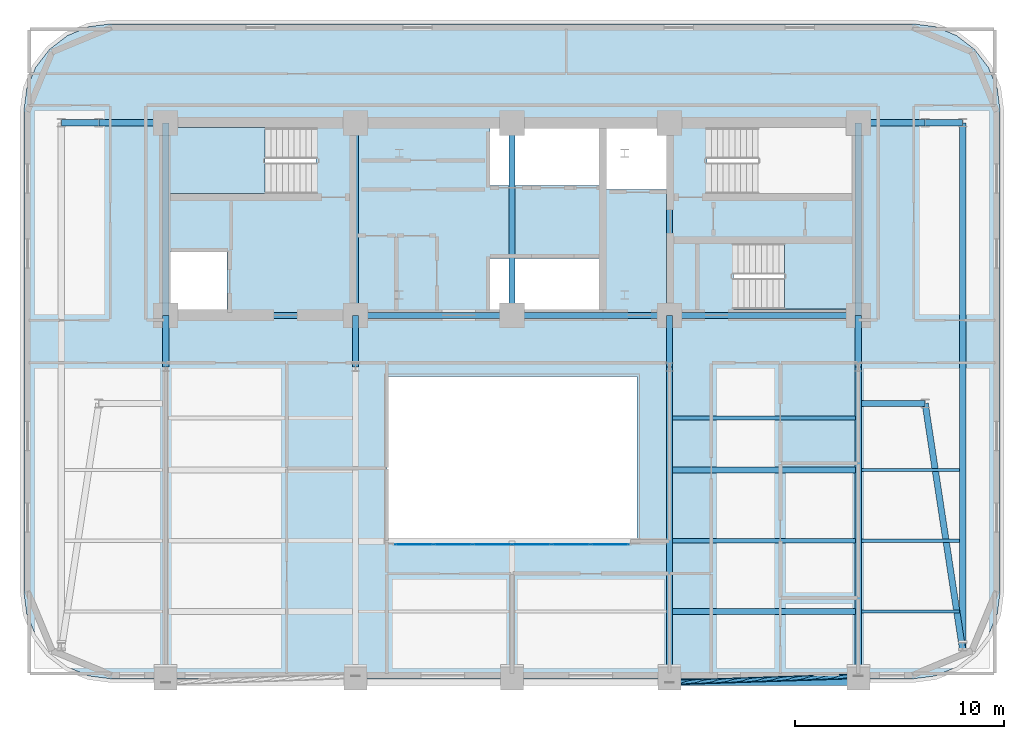
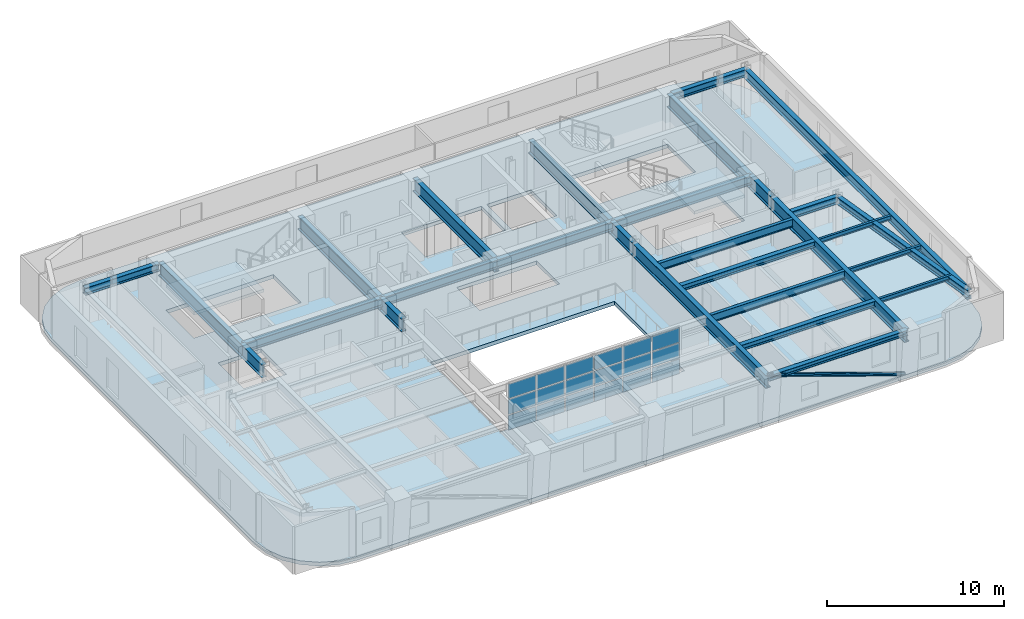
# One storey, part 3 of 12: 30 beams, 18 plates, 3 slabs, 1 member, 3 elements without a shape of their own.
"""IFC4 building model written with IfcOpenShell, lengths in metres."""

import ifcopenshell
import ifcopenshell.guid

model = None  # the IFC model being written
_history = None  # IfcOwnerHistory: only IFC2X3 demands one
_inside = {}  # id of a spatial element -> (the spatial element, [elements in it])
_under = {}  # id of a project, library or spatial element -> (it, [spatial elements below it])
_declared = {}  # id of a project -> (the project, [libraries it declares])
_typed = {}  # id of a type object -> (the type object, [elements of that type])
_made_of = {}  # id of a material, layer set ... -> (it, [elements and type objects made of it])


def new_model(schema):
    """Start an empty IFC model of exactly this schema.

    Asked for "IFC4X3", IfcOpenShell would pick the latest addendum, in which some entities
    have other attributes; the version numbers below select the first issue.
    IFC2X3 requires an IfcOwnerHistory on every rooted entity: one is made here for all.
    """
    global model, _history
    if schema == "IFC4X3":
        model = ifcopenshell.file(schema_version=(4, 3, 0, 0))
    else:
        model = ifcopenshell.file(schema=schema)
    _inside.clear()
    _under.clear()
    _declared.clear()
    _typed.clear()
    _made_of.clear()
    _history = None
    if model.schema == "IFC2X3":
        org = make("IfcOrganization", Name="unknown")
        user = make(
            "IfcPersonAndOrganization",
            ThePerson=make("IfcPerson", FamilyName="unknown"),
            TheOrganization=org,
        )
        app = make(
            "IfcApplication",
            ApplicationDeveloper=org,
            Version="unknown",
            ApplicationFullName="unknown",
            ApplicationIdentifier="unknown",
        )
        _history = make(
            "IfcOwnerHistory",
            OwningUser=user,
            OwningApplication=app,
            ChangeAction="ADDED",
            CreationDate=0,
        )
    return model


def make(cls, **values):
    """One entity of the class cls with the attributes given. An attribute that is None is left unset."""
    return model.create_entity(
        cls, **{name: value for name, value in values.items() if value is not None}
    )


def rooted(cls, **values):
    """An entity with a GlobalId (a new one), such as an element, a storey or a relation."""
    return make(cls, GlobalId=ifcopenshell.guid.new(), OwnerHistory=_history, **values)


def si_unit(unit_type, name, prefix=None):
    """IfcSIUnit, for example si_unit("LENGTHUNIT", "METRE", prefix="MILLI")."""
    return make("IfcSIUnit", UnitType=unit_type, Prefix=prefix, Name=name)


def assignment(units):
    """IfcUnitAssignment: the units of a project."""
    return None if units is None else make("IfcUnitAssignment", Units=units)


def point(xyz):
    """IfcCartesianPoint."""
    return None if xyz is None else make("IfcCartesianPoint", Coordinates=xyz)


def direction(xyz):
    """IfcDirection."""
    return None if xyz is None else make("IfcDirection", DirectionRatios=xyz)


def frame(location, z_axis=None, x_axis=None):
    """IfcAxis2Placement3D, a coordinate frame: its origin and axes. An axis left out is left unset."""
    return make(
        "IfcAxis2Placement3D",
        Location=point(location),
        Axis=direction(z_axis),
        RefDirection=direction(x_axis),
    )


def frame_2d(location, x_axis=None):
    """IfcAxis2Placement2D, a coordinate frame in the plane: its origin and x axis."""
    return make(
        "IfcAxis2Placement2D", Location=point(location), RefDirection=direction(x_axis)
    )


def origin():
    """The frame at (0, 0, 0) with its axes left unset."""
    return frame((0.0, 0.0, 0.0))


def origin_2d():
    """The frame at (0, 0) in the plane with its x axis left unset."""
    return frame_2d((0.0, 0.0))


def place(relative_to, where):
    """IfcLocalPlacement: puts the frame where relative to a parent placement (None: the world)."""
    return make(
        "IfcLocalPlacement", PlacementRelTo=relative_to, RelativePlacement=where
    )


def context(
    kind, dimensions, precision=None, world=None, true_north=None, identifier=None
):
    """IfcGeometricRepresentationContext, for example the 3D "Model" context."""
    return make(
        "IfcGeometricRepresentationContext",
        ContextIdentifier=identifier,
        ContextType=kind,
        CoordinateSpaceDimension=dimensions,
        Precision=precision,
        WorldCoordinateSystem=world,
        TrueNorth=true_north,
    )


def subcontext(parent, identifier, kind, view, scale=None):
    """IfcGeometricRepresentationSubContext, for example "Body" below "Model"."""
    return make(
        "IfcGeometricRepresentationSubContext",
        ContextIdentifier=identifier,
        ContextType=kind,
        ParentContext=parent,
        TargetScale=scale,
        TargetView=view,
    )


def project(units=None, contexts=None):
    """IfcProject with its units and contexts."""
    return rooted(
        "IfcProject",
        Name="project",
        RepresentationContexts=contexts,
        UnitsInContext=assignment(units),
    )


def spatial(cls, under=None, at=None, **own):
    """A site, building, storey or space (cls), placed at a placement, below another one or the project."""
    s = rooted(cls, ObjectPlacement=at, **own)
    if under is not None:
        _under.setdefault(under.id(), (under, []))[1].append(s)
    return s


def polyline(points):
    """IfcPolyline through the points."""
    return make("IfcPolyline", Points=[point(p) for p in points])


def profile(cls, at=None, kind="AREA", **sizes):
    """A parametric profile (cls). Its sizes go by their IFC names, for example OverallWidth=200.0."""
    return make(cls, ProfileType=kind, Position=at, **sizes)


def rectangle(**sizes):
    """IfcRectangleProfileDef."""
    return profile("IfcRectangleProfileDef", **sizes)


def hollow_circle(**sizes):
    """IfcCircleHollowProfileDef."""
    return profile("IfcCircleHollowProfileDef", **sizes)


def i_section(**sizes):
    """IfcIShapeProfileDef."""
    return profile("IfcIShapeProfileDef", **sizes)


def outline(outer, holes=None, kind="AREA"):
    """IfcArbitraryClosedProfileDef: a profile drawn as a closed curve; with holes, ...WithVoids."""
    if holes is None:
        return make("IfcArbitraryClosedProfileDef", ProfileType=kind, OuterCurve=outer)
    return make(
        "IfcArbitraryProfileDefWithVoids",
        ProfileType=kind,
        OuterCurve=outer,
        InnerCurves=holes,
    )


def extrude(swept, where, along, depth):
    """IfcExtrudedAreaSolid: the profile swept, set in the frame where, extruded along a direction by depth."""
    return make(
        "IfcExtrudedAreaSolid",
        SweptArea=swept,
        Position=where,
        ExtrudedDirection=direction(along),
        Depth=depth,
    )


def shape(context_of_items, identifier, shape_type, items):
    """IfcShapeRepresentation: the items that make up one representation, for example the "Body"."""
    return make(
        "IfcShapeRepresentation",
        ContextOfItems=context_of_items,
        RepresentationIdentifier=identifier,
        RepresentationType=shape_type,
        Items=items,
    )


def material(Name=None, Category=None):
    """IfcMaterial."""
    return make("IfcMaterial", Name=Name, Category=Category)


def layer(
    of_material, thickness, ventilated=None, Name=None, Category=None, Priority=None
):
    """IfcMaterialLayer: one layer of a wall or slab, of a material (None: an air gap)."""
    return make(
        "IfcMaterialLayer",
        Material=of_material,
        LayerThickness=thickness,
        IsVentilated=ventilated,
        Name=Name,
        Category=Category,
        Priority=Priority,
    )


def layer_set(layers, Name=None):
    """IfcMaterialLayerSet."""
    return make("IfcMaterialLayerSet", MaterialLayers=layers, LayerSetName=Name)


def material_profile(
    of_material, cross_section, Name=None, Category=None, Priority=None
):
    """IfcMaterialProfile: a cross section and its material."""
    return make(
        "IfcMaterialProfile",
        Name=Name,
        Material=of_material,
        Profile=cross_section,
        Priority=Priority,
        Category=Category,
    )


def profile_set(profiles, Name=None, composite=None):
    """IfcMaterialProfileSet."""
    return make(
        "IfcMaterialProfileSet",
        Name=Name,
        MaterialProfiles=profiles,
        CompositeProfile=composite,
    )


def made_of(thing, what):
    """Note that an element or type object is made of a material, layer set ...; save() writes the relation."""
    if what is not None:
        _made_of.setdefault(what.id(), (what, []))[1].append(thing)
    return thing


def type_object(cls, material=None, **own):
    """A type object (cls), such as IfcWallType, which elements share."""
    return made_of(rooted(cls, **own), material)


def element(
    cls,
    number,
    at=None,
    inside=None,
    cuts=None,
    type_object=None,
    material=None,
    context=None,
    identifier="Body",
    shape_type=None,
    held_by="IfcProductDefinitionShape",
    body=None,
    shapes=None,
    **own,
):
    """One element of the class cls, such as IfcWall. Its Tag is "e" and its number.

    at: its placement. inside: the storey or other place that contains it. cuts: it is an
    opening in that element (IfcRelVoidsElement). A single representation is given by context,
    identifier, shape_type and body (its items); several are given by shapes. held_by: the class
    of the entity that holds the representations. save() writes the other relations.
    """
    e = rooted(cls, Tag="e%d" % number, ObjectPlacement=at, **own)
    if body is not None:
        shapes = [shape(context, identifier, shape_type, body)]
    if shapes is not None:
        e.Representation = make(held_by, Representations=shapes)
    if inside is not None:
        _inside.setdefault(inside.id(), (inside, []))[1].append(e)
    if cuts is not None:
        rooted(
            "IfcRelVoidsElement", RelatingBuildingElement=cuts, RelatedOpeningElement=e
        )
    if type_object is not None:
        _typed.setdefault(type_object.id(), (type_object, []))[1].append(e)
    return made_of(e, material)


def aggregate(whole, parts):
    """IfcRelAggregates: a whole, such as a stair, and the parts it consists of."""
    return rooted("IfcRelAggregates", RelatingObject=whole, RelatedObjects=parts)


def save(model, path):
    """Write the relations noted so far, then the file.

    IfcRelAggregates (storeys below a building ...), IfcRelContainedInSpatialStructure (elements
    in a storey), IfcRelDefinesByType, IfcRelAssociatesMaterial and IfcRelDeclares: one each for
    every whole, place, type object, material and project.
    """
    for whole, parts in _under.values():
        aggregate(whole, parts)
    for where, things in _inside.values():
        rooted(
            "IfcRelContainedInSpatialStructure",
            RelatedElements=things,
            RelatingStructure=where,
        )
    for kind, things in _typed.values():
        rooted("IfcRelDefinesByType", RelatedObjects=things, RelatingType=kind)
    for what, things in _made_of.values():
        rooted("IfcRelAssociatesMaterial", RelatedObjects=things, RelatingMaterial=what)
    for by, libraries in _declared.values():
        rooted("IfcRelDeclares", RelatingContext=by, RelatedDefinitions=libraries)
    model.write(path)


model = new_model("IFC4")

# Units and contexts
model_context = context("Model", 3, precision=1e-05, world=origin(), true_north=direction((0.0, 1.0)))
body_context = subcontext(model_context, "Body", "Model", "MODEL_VIEW")
ifc_project = project(units=[si_unit("LENGTHUNIT", "METRE"), si_unit("AREAUNIT", "SQUARE_METRE"), si_unit("VOLUMEUNIT", "CUBIC_METRE"), si_unit("PLANEANGLEUNIT", "RADIAN"), si_unit("MASSUNIT", "GRAM", prefix="KILO")], contexts=[model_context])

# Site, building, storey
site_placement = place(None, origin())
site = spatial("IfcSite", under=ifc_project, at=site_placement, CompositionType="ELEMENT")
building_placement = place(site_placement, origin())
building = spatial("IfcBuilding", under=site, at=building_placement, Name="Zarnavel Station Tower", CompositionType="ELEMENT")
storey_placement = place(building_placement, frame((0.0, 0.0, 173.199951171875)))
storey = spatial("IfcBuildingStorey", under=building, at=storey_placement, Name="L47", CompositionType="ELEMENT", Elevation=173.199951171875)

# Member
ifc_material_1 = material(Name="Steel S355J2", Category="steel")
ifc_material_profile_1 = material_profile(ifc_material_1, hollow_circle(Radius=0.122314453125, WallThickness=0.010009765625, at=origin_2d()), Name="CHS244.5x10")
ifc_profile_set_1 = profile_set([ifc_material_profile_1], Name="Steel S355J2")
member_type = type_object("IfcMemberType", Name="DB_EXT_CHS245", PredefinedType="BRACE", material=ifc_profile_set_1)
member_placement = place(storey_placement, frame((45.39990234375, 10.53271484375, 0.0), z_axis=(-0.939370056938, -0.030942344867, 0.341506174795), x_axis=(0.032921607344, -0.999457936969, 0.0)))
element("IfcMember", 1, at=member_placement, inside=storey, type_object=member_type, Name="L47 Persian Exterior Diagonal Frame Brace 2", PredefinedType="BRACE", context=body_context, shape_type="SweptSolid", body=[
    extrude(hollow_circle(Radius=0.122314453125, WallThickness=0.010009765625, at=origin_2d()), origin(), (0.0, 0.0, 1.0), 9.6337890625),
])

# Beams
ifc_material_2 = material(Name="Steel S355J2", Category="steel")
ifc_material_profile_2 = material_profile(ifc_material_2, i_section(OverallWidth=0.300048828125, OverallDepth=0.360107421875, WebThickness=0.012451171875, FlangeThickness=0.0224609375, FilletRadius=0.027099609375, at=origin_2d()), Name="HEB360")
ifc_profile_set_2 = profile_set([ifc_material_profile_2], Name="Steel S355J2")
beam_type_1 = type_object("IfcBeamType", Name="EB_HEB360", PredefinedType="SPANDREL", material=ifc_profile_set_2)
beam_1_placement = place(storey_placement, frame((36.35009765625, 10.234619140625, 3.110107421875), z_axis=(1.0, 0.0, 0.0), x_axis=(0.0, 1.0, 0.0)))
element("IfcBeam", 2, at=beam_1_placement, inside=storey, type_object=beam_type_1, Name="L47 South Raked Spandrel 4", PredefinedType="SPANDREL", context=body_context, shape_type="SweptSolid", body=[
    extrude(i_section(OverallWidth=0.300048828125, OverallDepth=0.360107421875, WebThickness=0.012451171875, FlangeThickness=0.0224609375, FilletRadius=0.027099609375, at=origin_2d()), origin(), (0.0, 0.0, 1.0), 9.0498046875),
])
ifc_material_3 = material(Name="Steel S355J2", Category="steel")
ifc_material_profile_3 = material_profile(ifc_material_3, i_section(OverallWidth=0.300048828125, OverallDepth=0.389892578125, WebThickness=0.010986328125, FlangeThickness=0.01904296875, FilletRadius=0.027099609375, at=origin_2d()), Name="HEA400")
ifc_profile_set_3 = profile_set([ifc_material_profile_3], Name="Steel S355J2")
beam_type_2 = type_object("IfcBeamType", Name="FB_HEA400", PredefinedType="BEAM", material=ifc_profile_set_3)
for number, where, z_axis, x_axis, name in (
    (3, (36.4951171875, 13.627685546875, 3.094970703125), (1.0, 0.0, 0.0), (0.0, 1.0, 0.0), "L47 East Bay Beam 1"),
    (4, (36.4951171875, 20.413818359375, 3.094970703125), (1.0, 0.0, 0.0), (0.0, 1.0, 0.0), "L47 East Bay Beam 3"),
):
    element("IfcBeam", number, at=place(storey_placement, frame(where, z_axis=z_axis, x_axis=x_axis)), inside=storey, type_object=beam_type_2, Name=name, PredefinedType="BEAM", context=body_context, shape_type="SweptSolid", body=[
        extrude(i_section(OverallWidth=0.300048828125, OverallDepth=0.389892578125, WebThickness=0.010986328125, FlangeThickness=0.01904296875, FilletRadius=0.027099609375, at=origin_2d()), origin(), (0.0, 0.0, 1.0), 8.759765625),
    ])
ifc_material_4 = material(Name="Steel S355J2", Category="steel")
ifc_material_profile_4 = material_profile(ifc_material_4, i_section(OverallWidth=0.2099609375, OverallDepth=0.550048828125, WebThickness=0.010986328125, FlangeThickness=0.01708984375, FilletRadius=0.02392578125, at=origin_2d()), Name="IPE550")
ifc_profile_set_4 = profile_set([ifc_material_profile_4], Name="Steel S355J2")
beam_type_3 = type_object("IfcBeamType", Name="FB_IPE550", PredefinedType="BEAM", material=ifc_profile_set_4)
for number, where, z_axis, x_axis, name in (
    (5, (36.4951171875, 17.020751953125, 3.01513671875), (1.0, 0.0, 0.0), (0.0, 1.0, 0.0), "L47 East Bay Beam 2"),
    (6, (36.4951171875, 22.906982421875, 3.01513671875), (1.0, 0.0, 0.0), (0.0, 1.0, 0.0), "L47 East Bay Beam 4"),
):
    element("IfcBeam", number, at=place(storey_placement, frame(where, z_axis=z_axis, x_axis=x_axis)), inside=storey, type_object=beam_type_3, Name=name, PredefinedType="BEAM", context=body_context, shape_type="SweptSolid", body=[
        extrude(i_section(OverallWidth=0.2099609375, OverallDepth=0.550048828125, WebThickness=0.010986328125, FlangeThickness=0.01708984375, FilletRadius=0.02392578125, at=origin_2d()), origin(), (0.0, 0.0, 1.0), 8.759765625),
    ])
ifc_material_5 = material(Name="Steel S355J2", Category="steel")
ifc_material_profile_5 = material_profile(ifc_material_5, i_section(OverallWidth=0.300048828125, OverallDepth=0.5, WebThickness=0.014404296875, FlangeThickness=0.028076171875, FilletRadius=0.027099609375, at=origin_2d()), Name="HEB500")
ifc_profile_set_5 = profile_set([ifc_material_profile_5], Name="Steel S355J2")
beam_type_4 = type_object("IfcBeamType", Name="FG_HEB500", PredefinedType="USERDEFINED", material=ifc_profile_set_5)
beam_2_placement = place(storey_placement, frame((7.199951171875, 37.050048828125, 3.0400390625), z_axis=(1.0, 0.0, 0.0), x_axis=(0.0, 1.0, 0.0)))
element("IfcBeam", 7, at=beam_2_placement, inside=storey, type_object=beam_type_4, Name="L47 West Wing North Tie 1", ObjectType="GIRDER", PredefinedType="USERDEFINED", context=body_context, shape_type="SweptSolid", body=[
    extrude(i_section(OverallWidth=0.300048828125, OverallDepth=0.5, WebThickness=0.014404296875, FlangeThickness=0.028076171875, FilletRadius=0.027099609375, at=origin_2d()), origin(), (0.0, 0.0, 1.0), 1.800048828125),
])
beam_3_placement = place(storey_placement, frame((9.0, 37.050048828125, 3.0400390625), z_axis=(1.0, 0.0, 0.0), x_axis=(0.0, 1.0, 0.0)))
element("IfcBeam", 8, at=beam_3_placement, inside=storey, type_object=beam_type_4, Name="L47 West Wing North Tie 2", ObjectType="GIRDER", PredefinedType="USERDEFINED", context=body_context, shape_type="SweptSolid", body=[
    extrude(i_section(OverallWidth=0.300048828125, OverallDepth=0.5, WebThickness=0.014404296875, FlangeThickness=0.028076171875, FilletRadius=0.027099609375, at=origin_2d()), origin(), (0.0, 0.0, 1.0), 3.054931640625),
])
for number, where, z_axis, x_axis, name in (
    (9, (45.544921875, 23.60009765625, 3.0400390625), (1.0, 0.0, 0.0), (0.0, 1.0, 0.0), "L47 East Wing South Tie 1"),
    (10, (45.544921875, 37.050048828125, 3.0400390625), (1.0, 0.0, 0.0), (0.0, 1.0, 0.0), "L47 East Wing North Tie 1"),
):
    element("IfcBeam", number, at=place(storey_placement, frame(where, z_axis=z_axis, x_axis=x_axis)), inside=storey, type_object=beam_type_4, Name=name, ObjectType="GIRDER", PredefinedType="USERDEFINED", context=body_context, shape_type="SweptSolid", body=[
        extrude(i_section(OverallWidth=0.300048828125, OverallDepth=0.5, WebThickness=0.014404296875, FlangeThickness=0.028076171875, FilletRadius=0.027099609375, at=origin_2d()), origin(), (0.0, 0.0, 1.0), 3.05517578125),
    ])
beam_4_placement = place(storey_placement, frame((48.60009765625, 23.60009765625, 3.0400390625), z_axis=(0.150516611788, -0.988607480032, 0.0), x_axis=(0.988607480032, 0.150516611788, 0.0)))
element("IfcBeam", 11, at=beam_4_placement, inside=storey, type_object=beam_type_4, Name="L47 East Wing South Tie 2", ObjectType="GIRDER", PredefinedType="USERDEFINED", context=body_context, shape_type="SweptSolid", body=[
    extrude(i_section(OverallWidth=0.300048828125, OverallDepth=0.5, WebThickness=0.014404296875, FlangeThickness=0.028076171875, FilletRadius=0.027099609375, at=origin_2d()), origin(), (0.0, 0.0, 1.0), 11.95751953125),
])
beam_5_placement = place(storey_placement, frame((48.60009765625, 37.050048828125, 3.0400390625), z_axis=(1.0, 0.0, 0.0), x_axis=(0.0, 1.0, 0.0)))
element("IfcBeam", 12, at=beam_5_placement, inside=storey, type_object=beam_type_4, Name="L47 East Wing North Tie 2", ObjectType="GIRDER", PredefinedType="USERDEFINED", context=body_context, shape_type="SweptSolid", body=[
    extrude(i_section(OverallWidth=0.300048828125, OverallDepth=0.5, WebThickness=0.014404296875, FlangeThickness=0.028076171875, FilletRadius=0.027099609375, at=origin_2d()), origin(), (0.0, 0.0, 1.0), 1.7998046875),
])
ifc_material_6 = material(Name="Steel S355J2", Category="steel")
ifc_material_profile_6 = material_profile(ifc_material_6, i_section(OverallWidth=0.300048828125, OverallDepth=0.60009765625, WebThickness=0.015380859375, FlangeThickness=0.030029296875, FilletRadius=0.027099609375, at=origin_2d()), Name="HEB600")
ifc_profile_set_6 = profile_set([ifc_material_profile_6], Name="Steel S355J2")
beam_type_5 = type_object("IfcBeamType", Name="FG_HEB600", PredefinedType="USERDEFINED", material=ifc_profile_set_6)
beam_6_placement = place(storey_placement, frame((12.199951171875, 27.820068359375, 2.989990234375), z_axis=(1.0, 0.0, 0.0), x_axis=(0.0, 1.0, 0.0)))
element("IfcBeam", 13, at=beam_6_placement, inside=storey, type_object=beam_type_5, Name="L47 Core Front Coupling Beam 1", ObjectType="GIRDER", PredefinedType="USERDEFINED", context=body_context, shape_type="SweptSolid", body=[
    extrude(i_section(OverallWidth=0.300048828125, OverallDepth=0.60009765625, WebThickness=0.015380859375, FlangeThickness=0.030029296875, FilletRadius=0.027099609375, at=origin_2d()), origin(), (0.0, 0.0, 1.0), 9.10009765625),
])
beam_7_placement = place(storey_placement, frame((21.300048828125, 27.820068359375, 2.989990234375), z_axis=(1.0, 0.0, 0.0), x_axis=(0.0, 1.0, 0.0)))
element("IfcBeam", 14, at=beam_7_placement, inside=storey, type_object=beam_type_5, Name="L47 Core Front Coupling Beam 2", ObjectType="GIRDER", PredefinedType="USERDEFINED", context=body_context, shape_type="SweptSolid", body=[
    extrude(i_section(OverallWidth=0.300048828125, OverallDepth=0.60009765625, WebThickness=0.015380859375, FlangeThickness=0.030029296875, FilletRadius=0.027099609375, at=origin_2d()), origin(), (0.0, 0.0, 1.0), 7.5),
])
beam_8_placement = place(storey_placement, frame((28.800048828125, 27.820068359375, 2.989990234375), z_axis=(1.0, 0.0, 0.0), x_axis=(0.0, 1.0, 0.0)))
element("IfcBeam", 15, at=beam_8_placement, inside=storey, type_object=beam_type_5, Name="L47 Core Front Coupling Beam 3", ObjectType="GIRDER", PredefinedType="USERDEFINED", context=body_context, shape_type="SweptSolid", body=[
    extrude(i_section(OverallWidth=0.300048828125, OverallDepth=0.60009765625, WebThickness=0.015380859375, FlangeThickness=0.030029296875, FilletRadius=0.027099609375, at=origin_2d()), origin(), (0.0, 0.0, 1.0), 7.550048828125),
])
beam_9_placement = place(storey_placement, frame((36.35009765625, 27.820068359375, 2.989990234375), z_axis=(1.0, 0.0, 0.0), x_axis=(0.0, 1.0, 0.0)))
element("IfcBeam", 16, at=beam_9_placement, inside=storey, type_object=beam_type_5, Name="L47 Core Front Coupling Beam 4", ObjectType="GIRDER", PredefinedType="USERDEFINED", context=body_context, shape_type="SweptSolid", body=[
    extrude(i_section(OverallWidth=0.300048828125, OverallDepth=0.60009765625, WebThickness=0.015380859375, FlangeThickness=0.030029296875, FilletRadius=0.027099609375, at=origin_2d()), origin(), (0.0, 0.0, 1.0), 9.0498046875),
])
ifc_material_7 = material(Name="Steel S355J2", Category="steel")
ifc_material_profile_7 = material_profile(ifc_material_7, i_section(OverallWidth=0.300048828125, OverallDepth=0.64990234375, WebThickness=0.01611328125, FlangeThickness=0.031005859375, FilletRadius=0.027099609375, at=origin_2d()), Name="HEB650")
ifc_profile_set_7 = profile_set([ifc_material_profile_7], Name="Steel S355J2")
beam_type_6 = type_object("IfcBeamType", Name="FG_HEB650", PredefinedType="USERDEFINED", material=ifc_profile_set_7)
beam_10_placement = place(storey_placement, frame((50.39990234375, 11.77880859375, 2.965087890625), z_axis=(0.0, 1.0, 0.0), x_axis=(-1.0, 0.0, 0.0)))
element("IfcBeam", 17, at=beam_10_placement, inside=storey, type_object=beam_type_6, Name="L47 Wing NS Girder 2", ObjectType="GIRDER", PredefinedType="USERDEFINED", context=body_context, shape_type="SweptSolid", body=[
    extrude(i_section(OverallWidth=0.300048828125, OverallDepth=0.64990234375, WebThickness=0.01611328125, FlangeThickness=0.031005859375, FilletRadius=0.027099609375, at=origin_2d()), origin(), (0.0, 0.0, 1.0), 25.271240234375),
])
ifc_material_8 = material(Name="Steel S355J2", Category="steel")
ifc_material_profile_8 = material_profile(ifc_material_8, i_section(OverallWidth=0.300048828125, OverallDepth=0.89990234375, WebThickness=0.0185546875, FlangeThickness=0.034912109375, FilletRadius=0.030029296875, at=origin_2d()), Name="HEB900")
ifc_profile_set_8 = profile_set([ifc_material_profile_8], Name="Steel S355J2")
beam_type_7 = type_object("IfcBeamType", Name="FG_HEB900", PredefinedType="USERDEFINED", material=ifc_profile_set_8)
for number, where, z_axis, x_axis, name in (
    (18, (12.199951171875, 25.35009765625, 2.840087890625), (0.0, 1.0, 0.0), (-1.0, 0.0, 0.0), "L47 Inner-Zone NS Girder 1"),
    (19, (21.300048828125, 25.35009765625, 2.840087890625), (0.0, 1.0, 0.0), (-1.0, 0.0, 0.0), "L47 Inner-Zone NS Girder 2"),
):
    element("IfcBeam", number, at=place(storey_placement, frame(where, z_axis=z_axis, x_axis=x_axis)), inside=storey, type_object=beam_type_7, Name=name, ObjectType="GIRDER", PredefinedType="USERDEFINED", context=body_context, shape_type="SweptSolid", body=[
        extrude(i_section(OverallWidth=0.300048828125, OverallDepth=0.89990234375, WebThickness=0.0185546875, FlangeThickness=0.034912109375, FilletRadius=0.030029296875, at=origin_2d()), origin(), (0.0, 0.0, 1.0), 2.469970703125),
    ])
beam_11_placement = place(storey_placement, frame((36.35009765625, 10.234619140625, 2.840087890625), z_axis=(0.0, 1.0, 0.0), x_axis=(-1.0, 0.0, 0.0)))
element("IfcBeam", 20, at=beam_11_placement, inside=storey, type_object=beam_type_7, Name="L47 South-Zone NS Girder 4", ObjectType="GIRDER", PredefinedType="USERDEFINED", context=body_context, shape_type="SweptSolid", body=[
    extrude(i_section(OverallWidth=0.300048828125, OverallDepth=0.89990234375, WebThickness=0.0185546875, FlangeThickness=0.034912109375, FilletRadius=0.030029296875, at=origin_2d()), origin(), (0.0, 0.0, 1.0), 15.115478515625),
])
beam_12_placement = place(storey_placement, frame((36.35009765625, 25.35009765625, 2.840087890625), z_axis=(0.0, 1.0, 0.0), x_axis=(-1.0, 0.0, 0.0)))
element("IfcBeam", 21, at=beam_12_placement, inside=storey, type_object=beam_type_7, Name="L47 Inner-Zone NS Girder 4", ObjectType="GIRDER", PredefinedType="USERDEFINED", context=body_context, shape_type="SweptSolid", body=[
    extrude(i_section(OverallWidth=0.300048828125, OverallDepth=0.89990234375, WebThickness=0.0185546875, FlangeThickness=0.034912109375, FilletRadius=0.030029296875, at=origin_2d()), origin(), (0.0, 0.0, 1.0), 2.469970703125),
])
beam_13_placement = place(storey_placement, frame((45.39990234375, 10.234619140625, 2.840087890625), z_axis=(0.0, 1.0, 0.0), x_axis=(-1.0, 0.0, 0.0)))
element("IfcBeam", 22, at=beam_13_placement, inside=storey, type_object=beam_type_7, Name="L47 South-Zone NS Girder 5", ObjectType="GIRDER", PredefinedType="USERDEFINED", context=body_context, shape_type="SweptSolid", body=[
    extrude(i_section(OverallWidth=0.300048828125, OverallDepth=0.89990234375, WebThickness=0.0185546875, FlangeThickness=0.034912109375, FilletRadius=0.030029296875, at=origin_2d()), origin(), (0.0, 0.0, 1.0), 15.115478515625),
])
beam_14_placement = place(storey_placement, frame((45.39990234375, 25.35009765625, 2.840087890625), z_axis=(0.0, 1.0, 0.0), x_axis=(-1.0, 0.0, 0.0)))
element("IfcBeam", 23, at=beam_14_placement, inside=storey, type_object=beam_type_7, Name="L47 Inner-Zone NS Girder 5", ObjectType="GIRDER", PredefinedType="USERDEFINED", context=body_context, shape_type="SweptSolid", body=[
    extrude(i_section(OverallWidth=0.300048828125, OverallDepth=0.89990234375, WebThickness=0.0185546875, FlangeThickness=0.034912109375, FilletRadius=0.030029296875, at=origin_2d()), origin(), (0.0, 0.0, 1.0), 2.469970703125),
])
ifc_material_9 = material(Name="Steel S355J2", Category="steel")
ifc_material_profile_9 = material_profile(ifc_material_9, i_section(OverallWidth=0.14990234375, OverallDepth=0.300048828125, WebThickness=0.007080078125, FlangeThickness=0.0107421875, FilletRadius=0.014892578125, at=origin_2d()), Name="IPE300")
ifc_profile_set_9 = profile_set([ifc_material_profile_9], Name="Steel S355J2")
beam_type_8 = type_object("IfcBeamType", Name="FJ_IPE300", PredefinedType="JOIST", material=ifc_profile_set_9)
for number, where, z_axis, x_axis, name in (
    (24, (45.544921875, 13.627685546875, 3.14013671875), (1.0, 0.0, 0.0), (0.0, 1.0, 0.0), "L47 East Wing Joist 1"),
    (25, (45.544921875, 17.020751953125, 3.14013671875), (1.0, 0.0, 0.0), (0.0, 1.0, 0.0), "L47 East Wing Joist 2"),
    (26, (45.544921875, 20.413818359375, 3.14013671875), (1.0, 0.0, 0.0), (0.0, 1.0, 0.0), "L47 East Wing Joist 3"),
):
    element("IfcBeam", number, at=place(storey_placement, frame(where, z_axis=z_axis, x_axis=x_axis)), inside=storey, type_object=beam_type_8, Name=name, PredefinedType="JOIST", context=body_context, shape_type="SweptSolid", body=[
        extrude(i_section(OverallWidth=0.14990234375, OverallDepth=0.300048828125, WebThickness=0.007080078125, FlangeThickness=0.0107421875, FilletRadius=0.014892578125, at=origin_2d()), origin(), (0.0, 0.0, 1.0), 4.7099609375),
    ])
ifc_material_10 = material(Name="Steel S460M", Category="steel")
ifc_material_profile_10 = material_profile(ifc_material_10, i_section(OverallWidth=0.302001953125, OverallDepth=0.909912109375, WebThickness=0.02099609375, FlangeThickness=0.0400390625, FilletRadius=0.030029296875, at=origin_2d()), Name="HEM900")
ifc_profile_set_10 = profile_set([ifc_material_profile_10], Name="Steel S460M")
beam_type_9 = type_object("IfcBeamType", Name="TG_HEM900", PredefinedType="USERDEFINED", material=ifc_profile_set_10)
for number, where, z_axis, x_axis, name in (
    (27, (12.199951171875, 27.820068359375, 2.8349609375), (0.0, 1.0, 0.0), (-1.0, 0.0, 0.0), "L47 Core Spine Coupling Girder 1"),
    (28, (21.300048828125, 27.820068359375, 2.8349609375), (0.0, 1.0, 0.0), (-1.0, 0.0, 0.0), "L47 Core Spine Coupling Girder 2"),
    (29, (28.800048828125, 27.820068359375, 2.8349609375), (0.0, 1.0, 0.0), (-1.0, 0.0, 0.0), "L47 Core Spine Coupling Girder 3"),
    (30, (36.35009765625, 27.820068359375, 2.8349609375), (0.0, 1.0, 0.0), (-1.0, 0.0, 0.0), "L47 Core Spine Coupling Girder 4"),
    (31, (45.39990234375, 27.820068359375, 2.8349609375), (0.0, 1.0, 0.0), (-1.0, 0.0, 0.0), "L47 Core Spine Coupling Girder 5"),
):
    element("IfcBeam", number, at=place(storey_placement, frame(where, z_axis=z_axis, x_axis=x_axis)), inside=storey, type_object=beam_type_9, Name=name, ObjectType="GIRDER", PredefinedType="USERDEFINED", context=body_context, shape_type="SweptSolid", body=[
        extrude(i_section(OverallWidth=0.302001953125, OverallDepth=0.909912109375, WebThickness=0.02099609375, FlangeThickness=0.0400390625, FilletRadius=0.030029296875, at=origin_2d()), origin(), (0.0, 0.0, 1.0), 9.22998046875),
    ])

# Curtain wall, plates
ifc_material_11 = material(Name="Aluminium Dark Anodised and Solar-Control Glass", Category="aluminium")
ifc_layer_1 = layer(ifc_material_11, 0.179931640625)
ifc_layer_set_1 = layer_set([ifc_layer_1], Name="CWS4")
curtain_wall_type = type_object("IfcCurtainWallType", Name="CWS4", PredefinedType="NOTDEFINED", material=ifc_layer_set_1)
curtain_wall_placement = place(storey_placement, origin())
curtain_wall = element("IfcCurtainWall", 32, at=curtain_wall_placement, inside=storey, type_object=curtain_wall_type, Name="L47 Curtain Wall CWS4-L47-AS", PredefinedType="NOTDEFINED")
ifc_material_12 = material(Name="Double Low-E Dark Solar-Control Glass", Category="glass")
ifc_layer_2 = layer(ifc_material_12, 0.031982421875)
ifc_layer_set_2 = layer_set([ifc_layer_2], Name="CWS4_PNL")
plate_type = type_object("IfcPlateType", Name="CWS4_PNL", PredefinedType="CURTAIN_PANEL", material=ifc_layer_set_2)
plate_1_placement = place(storey_placement, frame((24.106689453125, 16.85009765625, 0.06005859375), z_axis=(0.0, 0.0, 1.0), x_axis=(1.0, 0.0, 0.0)))
plate_1 = element("IfcPlate", 33, at=plate_1_placement, type_object=plate_type, Name="CW4 panel 1.1", PredefinedType="CURTAIN_PANEL", context=body_context, shape_type="SweptSolid", body=[
    extrude(rectangle(XDim=1.793212890625, YDim=0.028076171875, at=origin_2d()), origin(), (0.0, 0.0, 1.0), 1.006591796875),
])
plate_2_placement = place(storey_placement, frame((24.106689453125, 16.85009765625, 1.126708984375), z_axis=(0.0, 0.0, 1.0), x_axis=(1.0, 0.0, 0.0)))
plate_2 = element("IfcPlate", 34, at=plate_2_placement, type_object=plate_type, Name="CW4 panel 1.2", PredefinedType="CURTAIN_PANEL", context=body_context, shape_type="SweptSolid", body=[
    extrude(rectangle(XDim=1.793212890625, YDim=0.028076171875, at=origin_2d()), origin(), (0.0, 0.0, 1.0), 1.03662109375),
])
plate_3_placement = place(storey_placement, frame((24.106689453125, 16.85009765625, 2.2236328125), z_axis=(0.0, 0.0, 1.0), x_axis=(1.0, 0.0, 0.0)))
plate_3 = element("IfcPlate", 35, at=plate_3_placement, type_object=plate_type, Name="CW4 panel 1.3", PredefinedType="CURTAIN_PANEL", context=body_context, shape_type="SweptSolid", body=[
    extrude(rectangle(XDim=1.793212890625, YDim=0.028076171875, at=origin_2d()), origin(), (0.0, 0.0, 1.0), 1.006591796875),
])
plate_4_placement = place(storey_placement, frame((25.97509765625, 16.85009765625, 0.06005859375), z_axis=(0.0, 0.0, 1.0), x_axis=(1.0, 0.0, 0.0)))
plate_4 = element("IfcPlate", 36, at=plate_4_placement, type_object=plate_type, Name="CW4 panel 2.1", PredefinedType="CURTAIN_PANEL", context=body_context, shape_type="SweptSolid", body=[
    extrude(rectangle(XDim=1.8232421875, YDim=0.028076171875, at=origin_2d()), origin(), (0.0, 0.0, 1.0), 1.006591796875),
])
plate_5_placement = place(storey_placement, frame((25.97509765625, 16.85009765625, 1.126708984375), z_axis=(0.0, 0.0, 1.0), x_axis=(1.0, 0.0, 0.0)))
plate_5 = element("IfcPlate", 37, at=plate_5_placement, type_object=plate_type, Name="CW4 panel 2.2", PredefinedType="CURTAIN_PANEL", context=body_context, shape_type="SweptSolid", body=[
    extrude(rectangle(XDim=1.8232421875, YDim=0.028076171875, at=origin_2d()), origin(), (0.0, 0.0, 1.0), 1.03662109375),
])
plate_6_placement = place(storey_placement, frame((25.97509765625, 16.85009765625, 2.2236328125), z_axis=(0.0, 0.0, 1.0), x_axis=(1.0, 0.0, 0.0)))
plate_6 = element("IfcPlate", 38, at=plate_6_placement, type_object=plate_type, Name="CW4 panel 2.3", PredefinedType="CURTAIN_PANEL", context=body_context, shape_type="SweptSolid", body=[
    extrude(rectangle(XDim=1.8232421875, YDim=0.028076171875, at=origin_2d()), origin(), (0.0, 0.0, 1.0), 1.006591796875),
])
plate_7_placement = place(storey_placement, frame((27.8583984375, 16.85009765625, 0.06005859375), z_axis=(0.0, 0.0, 1.0), x_axis=(1.0, 0.0, 0.0)))
plate_7 = element("IfcPlate", 39, at=plate_7_placement, type_object=plate_type, Name="CW4 panel 3.1", PredefinedType="CURTAIN_PANEL", context=body_context, shape_type="SweptSolid", body=[
    extrude(rectangle(XDim=1.8232421875, YDim=0.028076171875, at=origin_2d()), origin(), (0.0, 0.0, 1.0), 1.006591796875),
])
plate_8_placement = place(storey_placement, frame((27.8583984375, 16.85009765625, 1.126708984375), z_axis=(0.0, 0.0, 1.0), x_axis=(1.0, 0.0, 0.0)))
plate_8 = element("IfcPlate", 40, at=plate_8_placement, type_object=plate_type, Name="CW4 panel 3.2", PredefinedType="CURTAIN_PANEL", context=body_context, shape_type="SweptSolid", body=[
    extrude(rectangle(XDim=1.8232421875, YDim=0.028076171875, at=origin_2d()), origin(), (0.0, 0.0, 1.0), 1.03662109375),
])
plate_9_placement = place(storey_placement, frame((27.8583984375, 16.85009765625, 2.2236328125), z_axis=(0.0, 0.0, 1.0), x_axis=(1.0, 0.0, 0.0)))
plate_9 = element("IfcPlate", 41, at=plate_9_placement, type_object=plate_type, Name="CW4 panel 3.3", PredefinedType="CURTAIN_PANEL", context=body_context, shape_type="SweptSolid", body=[
    extrude(rectangle(XDim=1.8232421875, YDim=0.028076171875, at=origin_2d()), origin(), (0.0, 0.0, 1.0), 1.006591796875),
])
plate_10_placement = place(storey_placement, frame((29.74169921875, 16.85009765625, 0.06005859375), z_axis=(0.0, 0.0, 1.0), x_axis=(1.0, 0.0, 0.0)))
plate_10 = element("IfcPlate", 42, at=plate_10_placement, type_object=plate_type, Name="CW4 panel 4.1", PredefinedType="CURTAIN_PANEL", context=body_context, shape_type="SweptSolid", body=[
    extrude(rectangle(XDim=1.8232421875, YDim=0.028076171875, at=origin_2d()), origin(), (0.0, 0.0, 1.0), 1.006591796875),
])
plate_11_placement = place(storey_placement, frame((29.74169921875, 16.85009765625, 1.126708984375), z_axis=(0.0, 0.0, 1.0), x_axis=(1.0, 0.0, 0.0)))
plate_11 = element("IfcPlate", 43, at=plate_11_placement, type_object=plate_type, Name="CW4 panel 4.2", PredefinedType="CURTAIN_PANEL", context=body_context, shape_type="SweptSolid", body=[
    extrude(rectangle(XDim=1.8232421875, YDim=0.028076171875, at=origin_2d()), origin(), (0.0, 0.0, 1.0), 1.03662109375),
])
plate_12_placement = place(storey_placement, frame((29.74169921875, 16.85009765625, 2.2236328125), z_axis=(0.0, 0.0, 1.0), x_axis=(1.0, 0.0, 0.0)))
plate_12 = element("IfcPlate", 44, at=plate_12_placement, type_object=plate_type, Name="CW4 panel 4.3", PredefinedType="CURTAIN_PANEL", context=body_context, shape_type="SweptSolid", body=[
    extrude(rectangle(XDim=1.8232421875, YDim=0.028076171875, at=origin_2d()), origin(), (0.0, 0.0, 1.0), 1.006591796875),
])
plate_13_placement = place(storey_placement, frame((31.625, 16.85009765625, 0.06005859375), z_axis=(0.0, 0.0, 1.0), x_axis=(1.0, 0.0, 0.0)))
plate_13 = element("IfcPlate", 45, at=plate_13_placement, type_object=plate_type, Name="CW4 panel 5.1", PredefinedType="CURTAIN_PANEL", context=body_context, shape_type="SweptSolid", body=[
    extrude(rectangle(XDim=1.8232421875, YDim=0.028076171875, at=origin_2d()), origin(), (0.0, 0.0, 1.0), 1.006591796875),
])
plate_14_placement = place(storey_placement, frame((31.625, 16.85009765625, 1.126708984375), z_axis=(0.0, 0.0, 1.0), x_axis=(1.0, 0.0, 0.0)))
plate_14 = element("IfcPlate", 46, at=plate_14_placement, type_object=plate_type, Name="CW4 panel 5.2", PredefinedType="CURTAIN_PANEL", context=body_context, shape_type="SweptSolid", body=[
    extrude(rectangle(XDim=1.8232421875, YDim=0.028076171875, at=origin_2d()), origin(), (0.0, 0.0, 1.0), 1.03662109375),
])
plate_15_placement = place(storey_placement, frame((31.625, 16.85009765625, 2.2236328125), z_axis=(0.0, 0.0, 1.0), x_axis=(1.0, 0.0, 0.0)))
plate_15 = element("IfcPlate", 47, at=plate_15_placement, type_object=plate_type, Name="CW4 panel 5.3", PredefinedType="CURTAIN_PANEL", context=body_context, shape_type="SweptSolid", body=[
    extrude(rectangle(XDim=1.8232421875, YDim=0.028076171875, at=origin_2d()), origin(), (0.0, 0.0, 1.0), 1.006591796875),
])
plate_16_placement = place(storey_placement, frame((33.493408203125, 16.85009765625, 0.06005859375), z_axis=(0.0, 0.0, 1.0), x_axis=(1.0, 0.0, 0.0)))
plate_16 = element("IfcPlate", 48, at=plate_16_placement, type_object=plate_type, Name="CW4 panel 6.1", PredefinedType="CURTAIN_PANEL", context=body_context, shape_type="SweptSolid", body=[
    extrude(rectangle(XDim=1.793212890625, YDim=0.028076171875, at=origin_2d()), origin(), (0.0, 0.0, 1.0), 1.006591796875),
])
plate_17_placement = place(storey_placement, frame((33.493408203125, 16.85009765625, 1.126708984375), z_axis=(0.0, 0.0, 1.0), x_axis=(1.0, 0.0, 0.0)))
plate_17 = element("IfcPlate", 49, at=plate_17_placement, type_object=plate_type, Name="CW4 panel 6.2", PredefinedType="CURTAIN_PANEL", context=body_context, shape_type="SweptSolid", body=[
    extrude(rectangle(XDim=1.793212890625, YDim=0.028076171875, at=origin_2d()), origin(), (0.0, 0.0, 1.0), 1.03662109375),
])
plate_18_placement = place(storey_placement, frame((33.493408203125, 16.85009765625, 2.2236328125), z_axis=(0.0, 0.0, 1.0), x_axis=(1.0, 0.0, 0.0)))
plate_18 = element("IfcPlate", 50, at=plate_18_placement, type_object=plate_type, Name="CW4 panel 6.3", PredefinedType="CURTAIN_PANEL", context=body_context, shape_type="SweptSolid", body=[
    extrude(rectangle(XDim=1.793212890625, YDim=0.028076171875, at=origin_2d()), origin(), (0.0, 0.0, 1.0), 1.006591796875),
])
aggregate(curtain_wall, [plate_1, plate_2, plate_3, plate_4, plate_5, plate_6, plate_7, plate_8, plate_9, plate_10, plate_11, plate_12, plate_13, plate_14, plate_15, plate_16, plate_17, plate_18])

# Slab
ifc_material_13 = material(Name="Concrete C45/55", Category="concrete")
ifc_layer_3 = layer(ifc_material_13, 0.260009765625)
ifc_layer_set_3 = layer_set([ifc_layer_3], Name="SL_FLR_260")
slab_type_1 = type_object("IfcSlabType", Name="SL_FLR_260", PredefinedType="FLOOR", material=ifc_layer_set_3)
slab_1_placement = place(storey_placement, frame((0.0, 0.0, -0.260009765625)))
element("IfcSlab", 51, at=slab_1_placement, inside=storey, type_object=slab_type_1, Name="L47 Structural Floor Slab", PredefinedType="FLOOR", context=body_context, shape_type="SweptSolid", body=[
    extrude(outline(polyline([(48.0, 10.39990234375), (49.0869140625, 10.543212890625), (50.10009765625, 10.962646484375), (50.9697265625, 11.630126953125), (51.63720703125, 12.5), (52.056884765625, 13.512939453125), (52.199951171875, 14.60009765625), (52.199951171875, 37.60009765625), (52.056884765625, 38.68701171875), (51.63720703125, 39.699951171875), (50.9697265625, 40.56982421875), (50.10009765625, 41.2373046875), (49.0869140625, 41.656982421875), (48.0, 41.800048828125), (9.60009765625, 41.800048828125), (8.512939453125, 41.656982421875), (7.5, 41.2373046875), (6.630126953125, 40.56982421875), (5.962646484375, 39.699951171875), (5.543212890625, 38.68701171875), (5.39990234375, 37.60009765625), (5.39990234375, 14.60009765625), (5.543212890625, 13.512939453125), (5.962646484375, 12.5), (6.630126953125, 11.630126953125), (7.5, 10.962646484375), (8.512939453125, 10.543212890625), (9.60009765625, 10.39990234375), (48.0, 10.39990234375)]), holes=[polyline([(12.39990234375, 33.659912109375), (19.409912109375, 33.659912109375), (19.409912109375, 36.820068359375), (12.39990234375, 36.820068359375), (12.39990234375, 33.659912109375)]), polyline([(38.14990234375, 33.659912109375), (45.159912109375, 33.659912109375), (45.159912109375, 36.820068359375), (38.14990234375, 36.820068359375), (38.14990234375, 33.659912109375)]), polyline([(39.419921875, 28.1201171875), (45.14990234375, 28.1201171875), (45.14990234375, 31.280029296875), (39.419921875, 31.280029296875), (39.419921875, 28.1201171875)]), polyline([(12.35009765625, 27.949951171875), (15.14990234375, 27.949951171875), (15.14990234375, 30.85009765625), (12.35009765625, 30.85009765625), (12.35009765625, 27.949951171875)]), polyline([(33.320068359375, 33.85009765625), (36.2099609375, 33.85009765625), (36.2099609375, 36.780029296875), (33.320068359375, 36.780029296875), (33.320068359375, 33.85009765625)]), polyline([(27.75, 34.050048828125), (32.97998046875, 34.050048828125), (32.97998046875, 36.780029296875), (27.75, 36.780029296875), (27.75, 34.050048828125)]), polyline([(27.75, 27.949951171875), (32.97998046875, 27.949951171875), (32.97998046875, 30.550048828125), (27.75, 30.550048828125), (27.75, 27.949951171875)]), polyline([(22.800048828125, 17.0), (34.800048828125, 17.0), (34.800048828125, 24.89990234375), (22.800048828125, 24.89990234375), (22.800048828125, 17.0)])]), origin(), (0.0, 0.0, 1.0), 0.260009765625),
])

# Stair, slab
ifc_material_14 = material(Name="Concrete C45/55", Category="concrete")
stair_type = type_object("IfcStairType", Name="ST_CORE_150", PredefinedType="HALF_TURN_STAIR", material=ifc_material_14)
stair_1_placement = place(storey_placement, origin())
stair_1 = element("IfcStair", 52, at=stair_1_placement, inside=storey, type_object=stair_type, Name="L47 Core Exit Stair ST1", PredefinedType="HALF_TURN_STAIR")
ifc_material_15 = material(Name="Concrete C45/55", Category="concrete")
ifc_layer_4 = layer(ifc_material_15, 0.199951171875)
ifc_layer_set_4 = layer_set([ifc_layer_4], Name="SL_STAIR_LAND_200")
slab_type_2 = type_object("IfcSlabType", Name="SL_STAIR_LAND_200", PredefinedType="LANDING", material=ifc_layer_set_4)
slab_2_placement = place(storey_placement, frame((0.0, 0.0, 1.574951171875)))
slab_2 = element("IfcSlab", 53, at=slab_2_placement, type_object=slab_type_2, Name="ST1 landing 1", PredefinedType="LANDING", context=body_context, shape_type="SweptSolid", body=[
    extrude(outline(polyline([(16.9599609375, 36.820068359375), (12.39990234375, 36.820068359375), (12.39990234375, 33.659912109375), (16.9599609375, 33.659912109375), (16.9599609375, 36.820068359375)])), origin(), (0.0, 0.0, 1.0), 0.2001953125),
])
aggregate(stair_1, [slab_2])

stair_2_placement = place(storey_placement, origin())
stair_2 = element("IfcStair", 54, at=stair_2_placement, inside=storey, type_object=stair_type, Name="L47 Core Exit Stair ST3", PredefinedType="HALF_TURN_STAIR")
slab_3_placement = place(storey_placement, frame((0.0, 0.0, 1.574951171875)))
slab_3 = element("IfcSlab", 55, at=slab_3_placement, type_object=slab_type_2, Name="ST3 landing 1", PredefinedType="LANDING", context=body_context, shape_type="SweptSolid", body=[
    extrude(outline(polyline([(41.8701171875, 28.1201171875), (45.14990234375, 28.1201171875), (45.14990234375, 31.280029296875), (41.8701171875, 31.280029296875), (41.8701171875, 28.1201171875)])), origin(), (0.0, 0.0, 1.0), 0.2001953125),
])
aggregate(stair_2, [slab_3])

save(model, "model.ifc")
